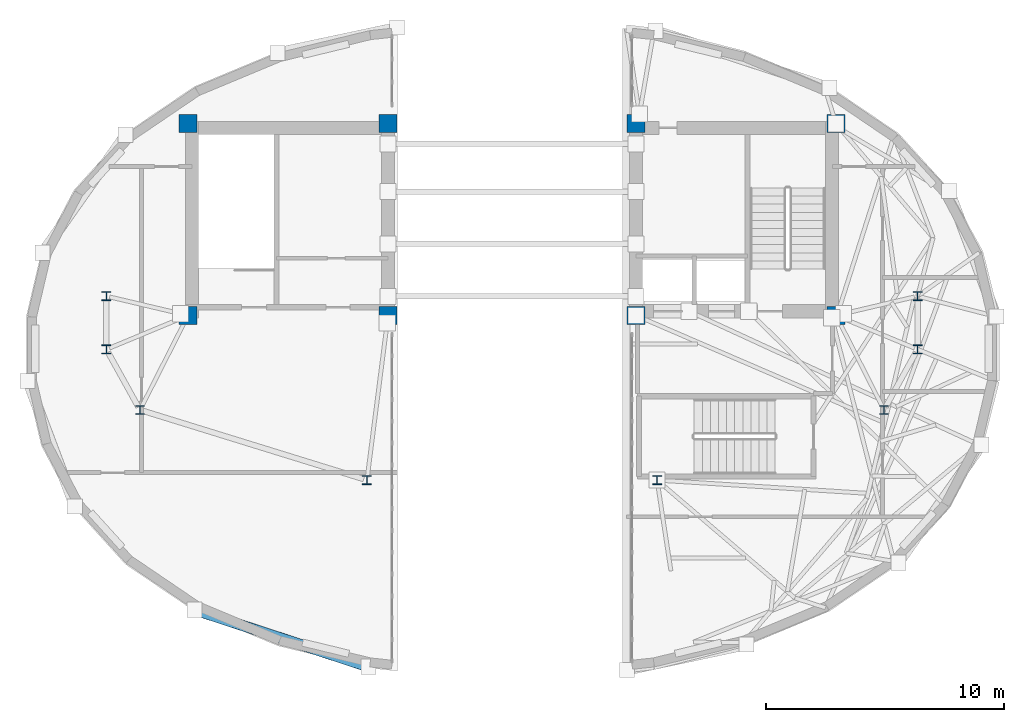
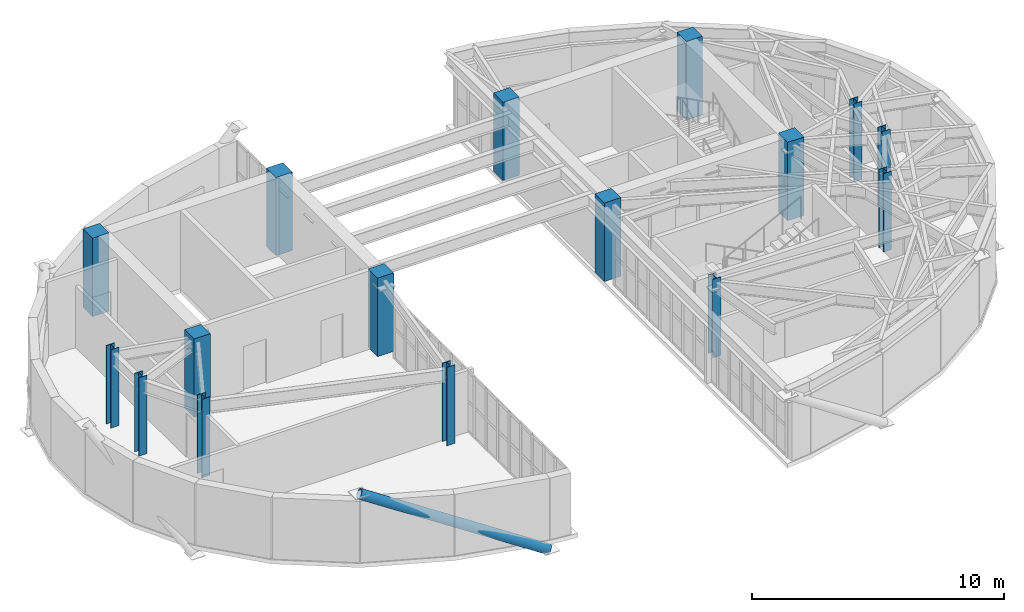
# One storey, part 1 of 13: 16 columns, 1 member.
"""IFC4 building model written with IfcOpenShell, lengths in metres."""

from ifc_helpers import new_model, si_unit, direction, frame, origin, origin_2d, place, context, subcontext, project, spatial, rectangle, hollow_circle, i_section, extrude, material, material_profile, profile_set, type_object, element, save


model = new_model("IFC4")

# Units and contexts
model_context = context("Model", 3, precision=1e-05, world=origin(), true_north=direction((0.0, 1.0)))
body_context = subcontext(model_context, "Body", "Model", "MODEL_VIEW")
ifc_project = project(units=[si_unit("LENGTHUNIT", "METRE"), si_unit("AREAUNIT", "SQUARE_METRE"), si_unit("VOLUMEUNIT", "CUBIC_METRE"), si_unit("PLANEANGLEUNIT", "RADIAN"), si_unit("MASSUNIT", "GRAM", prefix="KILO")], contexts=[model_context])

# Site, building, storey
site_placement = place(None, origin())
site = spatial("IfcSite", under=ifc_project, at=site_placement, CompositionType="ELEMENT")
building_placement = place(site_placement, origin())
building = spatial("IfcBuilding", under=site, at=building_placement, Name="Keldmark Tower", CompositionType="ELEMENT")
storey_placement = place(building_placement, frame((0.0, 0.0, 280.60009765625)))
storey = spatial("IfcBuildingStorey", under=building, at=storey_placement, Name="L79", CompositionType="ELEMENT", Elevation=280.60009765625)

# Columns
ifc_material_1 = material(Name="Concrete C50/60", Category="concrete")
ifc_material_profile_1 = material_profile(ifc_material_1, rectangle(XDim=0.75, YDim=0.75, at=origin_2d()), Name="RC750X750")
ifc_profile_set_1 = profile_set([ifc_material_profile_1], Name="Concrete C50/60")
column_type_1 = type_object("IfcColumnType", Name="Core Boundary Column RC750", PredefinedType="PILASTER", material=ifc_profile_set_1)
for number, where, z_axis, x_axis, name in (
    (1, (-13.60009765625, 1.39990234375, 0.0), (0.0, 0.0, 1.0), (1.0, 0.0, 0.0), "L79 Core Boundary Column CC-W1"),
    (2, (-13.60009765625, 9.449951171875, 0.0), (0.0, 0.0, 1.0), (1.0, 0.0, 0.0), "L79 Core Boundary Column CC-W2"),
    (3, (-5.199951171875, 1.39990234375, 0.0), (0.0, 0.0, 1.0), (1.0, 0.0, 0.0), "L79 Core Boundary Column CC-W3"),
    (4, (-5.199951171875, 9.449951171875, 0.0), (0.0, 0.0, 1.0), (1.0, 0.0, 0.0), "L79 Core Boundary Column CC-W4"),
    (5, (5.199951171875, 1.39990234375, 0.0), (0.0, 0.0, 1.0), (1.0, 0.0, 0.0), "L79 Core Boundary Column CC-E1"),
    (6, (5.199951171875, 9.449951171875, 0.0), (0.0, 0.0, 1.0), (1.0, 0.0, 0.0), "L79 Core Boundary Column CC-E2"),
    (7, (13.60009765625, 1.39990234375, 0.0), (0.0, 0.0, 1.0), (1.0, 0.0, 0.0), "L79 Core Boundary Column CC-E3"),
    (8, (13.60009765625, 9.449951171875, 0.0), (0.0, 0.0, 1.0), (1.0, 0.0, 0.0), "L79 Core Boundary Column CC-E4"),
):
    element("IfcColumn", number, at=place(storey_placement, frame(where, z_axis=z_axis, x_axis=x_axis)), inside=storey, type_object=column_type_1, Name=name, PredefinedType="PILASTER", context=body_context, shape_type="SweptSolid", body=[
        extrude(rectangle(XDim=0.75, YDim=0.75, at=origin_2d()), origin(), (0.0, 0.0, 1.0), 3.7998046875),
    ])
ifc_material_2 = material(Name="Steel ASTM A992 Grade 50", Category="steel")
ifc_material_profile_2 = material_profile(ifc_material_2, i_section(OverallWidth=0.3740234375, OverallDepth=0.3720703125, WebThickness=0.016357421875, FlangeThickness=0.026123046875, at=origin_2d()), Name="W14X132")
ifc_profile_set_2 = profile_set([ifc_material_profile_2], Name="Steel ASTM A992 Grade 50")
column_type_2 = type_object("IfcColumnType", Name="Tower Gravity Column W14X132", PredefinedType="COLUMN", material=ifc_profile_set_2)
for number, where, z_axis, x_axis, name in (
    (9, (17.025634765625, 2.2080078125, 0.0), (0.0, 0.0, 1.0), (1.0, 0.0, 0.0), "L79 Tower Gravity Column TC-E1"),
    (10, (-17.025634765625, 2.2080078125, 0.0), (0.0, 0.0, 1.0), (1.0, 0.0, 0.0), "L79 Tower Gravity Column TC-W1"),
    (11, (-17.025634765625, -0.02392578125, 0.0), (0.0, 0.0, 1.0), (1.0, 0.0, 0.0), "L79 Tower Gravity Column TC-W5"),
    (12, (-15.6162109375, -2.5673828125, 0.0), (0.0, 0.0, 1.0), (1.0, 0.0, 0.0), "L79 Tower Gravity Column TC-W2"),
    (13, (-6.089599609375, -5.512939453125, 0.0), (0.0, 0.0, 1.0), (1.0, 0.0, 0.0), "L79 Tower Gravity Column TC-W3"),
    (14, (6.089599609375, -5.512939453125, 0.0), (0.0, 0.0, 1.0), (1.0, 0.0, 0.0), "L79 Tower Gravity Column TC-E3"),
    (15, (15.6162109375, -2.5673828125, 0.0), (0.0, 0.0, 1.0), (1.0, 0.0, 0.0), "L79 Tower Gravity Column TC-E2"),
    (16, (17.025634765625, -0.02392578125, 0.0), (0.0, 0.0, 1.0), (1.0, 0.0, 0.0), "L79 Tower Gravity Column TC-E5"),
):
    element("IfcColumn", number, at=place(storey_placement, frame(where, z_axis=z_axis, x_axis=x_axis)), inside=storey, type_object=column_type_2, Name=name, PredefinedType="COLUMN", context=body_context, shape_type="SweptSolid", body=[
        extrude(i_section(OverallWidth=0.3740234375, OverallDepth=0.3720703125, WebThickness=0.016357421875, FlangeThickness=0.026123046875, at=origin_2d()), origin(), (0.0, 0.0, 1.0), 3.7998046875),
    ])

# Member
ifc_material_3 = material(Name="Steel ASTM A572 Grade 50", Category="steel")
ifc_material_profile_3 = material_profile(ifc_material_3, hollow_circle(Radius=0.22509765625, WallThickness=0.02197265625, at=origin_2d()), Name="CHS450X22")
ifc_profile_set_3 = profile_set([ifc_material_profile_3], Name="Steel ASTM A572 Grade 50")
member_type = type_object("IfcMemberType", Name="Crown Frame Brace CHS450X22", PredefinedType="USERDEFINED", material=ifc_profile_set_3)
member_placement = place(storey_placement, frame((-6.023681640625, -13.351318359375, -0.4501953125), z_axis=(-0.851851250396, 0.279319759019, 0.443091321762), x_axis=(-0.311575111015, -0.950221526906, 0.0)))
element("IfcMember", 17, at=member_placement, inside=storey, type_object=member_type, Name="L79 Crown Frame Diagonal W00", ObjectType="CROWN FRAME", PredefinedType="USERDEFINED", context=body_context, shape_type="SweptSolid", body=[
    extrude(hollow_circle(Radius=0.22509765625, WallThickness=0.02197265625, at=origin_2d()), origin(), (0.0, 0.0, 1.0), 8.576171875),
])

save(model, "model.ifc")
